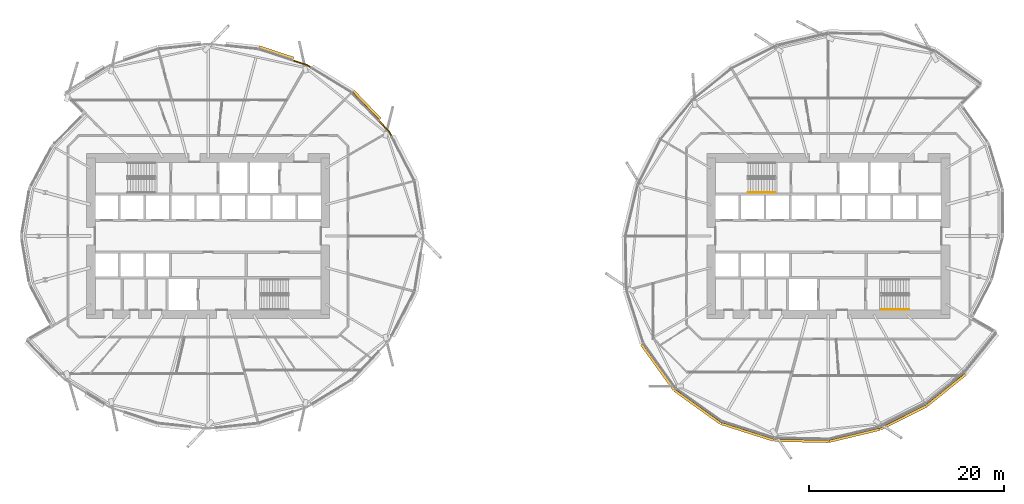
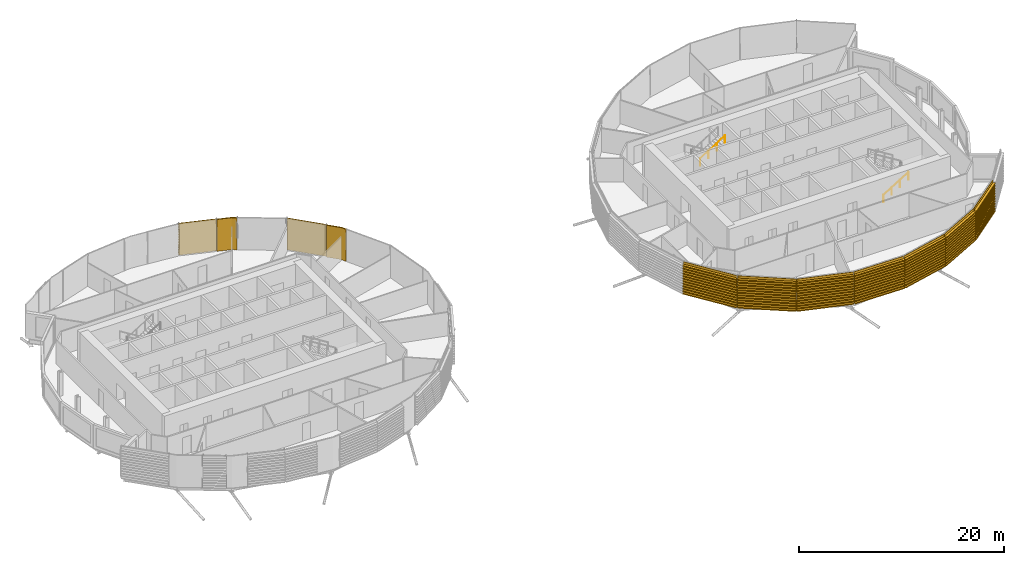
# One storey, part 34 of 36: 11 coverings, 2 railings.
"""IFC4 building model written with IfcOpenShell, lengths in metres."""

from ifc_helpers import new_model, si_unit, direction, frame, origin, origin_2d, place, context, subcontext, project, spatial, polyline, circle, outline, extrude, material, layer, layer_set, material_profile, profile_set, type_object, element, save


model = new_model("IFC4")

# Units and contexts
model_context = context("Model", 3, precision=1e-05, world=origin(), true_north=direction((0.0, 1.0)))
body_context = subcontext(model_context, "Body", "Model", "MODEL_VIEW")
ifc_project = project(units=[si_unit("LENGTHUNIT", "METRE"), si_unit("AREAUNIT", "SQUARE_METRE"), si_unit("VOLUMEUNIT", "CUBIC_METRE"), si_unit("PLANEANGLEUNIT", "RADIAN"), si_unit("MASSUNIT", "GRAM", prefix="KILO")], contexts=[model_context])

# Site, building, storey
site_placement = place(None, origin())
site = spatial("IfcSite", under=ifc_project, at=site_placement, CompositionType="ELEMENT")
building_placement = place(site_placement, origin())
building = spatial("IfcBuilding", under=site, at=building_placement, Name="Rimbun Link Towers", CompositionType="ELEMENT")
storey_placement = place(building_placement, frame((0.0, 0.0, 37.60009765625)))
storey = spatial("IfcBuildingStorey", under=building, at=storey_placement, Name="L08", CompositionType="ELEMENT", Elevation=37.60009765625)

# Coverings
ifc_material_1 = material(Name="Terracotta", Category="masonry")
ifc_layer = layer(ifc_material_1, 0.1201171875)
ifc_layer_set = layer_set([ifc_layer], Name="LINK PIER terracotta cladding 120")
covering_type_1 = type_object("IfcCoveringType", Name="LINK PIER terracotta cladding 120", PredefinedType="CLADDING", material=ifc_layer_set)
covering_1_placement = place(storey_placement, origin())
element("IfcCovering", 1, at=covering_1_placement, inside=storey, type_object=covering_type_1, Name="LINK PIER cladding", PredefinedType="CLADDING", context=body_context, shape_type="SweptSolid", body=[
    extrude(outline(polyline([(-14.317138671875, 11.769287109375), (-13.26513671875, 10.672119140625), (-13.026123046875, 10.21044921875), (-12.919677734375, 10.265625), (-13.16650390625, 10.74267578125), (-14.23046875, 11.8525390625), (-14.317138671875, 11.769287109375)])), origin(), (0.0, 0.0, 1.0), 3.7998046875),
])
covering_2_placement = place(storey_placement, origin())
element("IfcCovering", 2, at=covering_2_placement, inside=storey, type_object=covering_type_1, Name="LINK PIER cladding", PredefinedType="CLADDING", context=body_context, shape_type="SweptSolid", body=[
    extrude(outline(polyline([(-23.059326171875, 17.93212890625), (-21.663818359375, 17.469482421875), (-21.220703125, 17.197509765625), (-21.157958984375, 17.2998046875), (-21.613037109375, 17.5791015625), (-23.021484375, 18.0458984375), (-23.059326171875, 17.93212890625)])), origin(), (0.0, 0.0, 1.0), 3.7998046875),
])

# Railings
ifc_material_2 = material(Name="Stainless steel grade 316", Category="steel")
railing_type = type_object("IfcRailingType", Name="Stair handrail", PredefinedType="HANDRAIL", material=ifc_material_2)
for number, where, name in (
    (3, (23.5, 4.449951171875, 2.072509765625), "L08 ST3 stair handrail 2"),
    (4, (37.199951171875, -7.5, 0.172607421875), "L08 ST4 stair handrail 1"),
):
    element("IfcRailing", number, at=place(storey_placement, frame(where)), inside=storey, type_object=railing_type, Name=name, PredefinedType="HANDRAIL", context=body_context, shape_type="SweptSolid", body=[
        extrude(circle(Radius=0.02392578125, at=origin_2d()), frame((0.0, 0.0, 0.8759765625), z_axis=(0.851089632645, 0.0, 0.525020415988), x_axis=(0.0, 1.0, 0.0)), (0.0, 0.0, 1.0), 3.2900390625),
        extrude(circle(Radius=0.02099609375, at=origin_2d()), origin(), (0.0, 0.0, 1.0), 0.851806640625),
        extrude(circle(Radius=0.02099609375, at=origin_2d()), frame((0.933349609375, 0.0, 0.57568359375)), (0.0, 0.0, 1.0), 0.851806640625),
        extrude(circle(Radius=0.02099609375, at=origin_2d()), frame((1.86669921875, 0.0, 1.151611328125)), (0.0, 0.0, 1.0), 0.851806640625),
        extrude(circle(Radius=0.02099609375, at=origin_2d()), frame((2.800048828125, 0.0, 1.727294921875)), (0.0, 0.0, 1.0), 0.851806640625),
    ])

# Coverings
ifc_material_3 = material(Name="Terracotta", Category="masonry")
ifc_material_profile = material_profile(ifc_material_3, outline(polyline([(0.123046875, 0.0), (0.1630859375, 0.0), (0.1630859375, 0.10009765625), (0.423095703125, 0.10009765625), (0.423095703125, 0.219970703125), (0.1630859375, 0.219970703125), (0.1630859375, 0.39990234375), (0.423095703125, 0.39990234375), (0.423095703125, 0.52001953125), (0.1630859375, 0.52001953125), (0.1630859375, 0.699951171875), (0.423095703125, 0.699951171875), (0.423095703125, 0.820068359375), (0.1630859375, 0.820068359375), (0.1630859375, 1.0), (0.423095703125, 1.0), (0.423095703125, 1.1201171875), (0.1630859375, 1.1201171875), (0.1630859375, 1.300048828125), (0.423095703125, 1.300048828125), (0.423095703125, 1.419921875), (0.1630859375, 1.419921875), (0.1630859375, 1.60009765625), (0.423095703125, 1.60009765625), (0.423095703125, 1.719970703125), (0.1630859375, 1.719970703125), (0.1630859375, 1.89990234375), (0.423095703125, 1.89990234375), (0.423095703125, 2.02001953125), (0.1630859375, 2.02001953125), (0.1630859375, 2.199951171875), (0.423095703125, 2.199951171875), (0.423095703125, 2.320068359375), (0.1630859375, 2.320068359375), (0.1630859375, 2.5), (0.423095703125, 2.5), (0.423095703125, 2.6201171875), (0.1630859375, 2.6201171875), (0.1630859375, 2.800048828125), (0.423095703125, 2.800048828125), (0.423095703125, 2.919921875), (0.1630859375, 2.919921875), (0.1630859375, 3.10009765625), (0.423095703125, 3.10009765625), (0.423095703125, 3.219970703125), (0.1630859375, 3.219970703125), (0.1630859375, 3.39990234375), (0.423095703125, 3.39990234375), (0.423095703125, 3.52001953125), (0.1630859375, 3.52001953125), (0.1630859375, 3.800048828125), (0.123046875, 3.800048828125), (0.123046875, 0.0)])), Name="BAGUETTE 120X300")
ifc_profile_set = profile_set([ifc_material_profile], Name="Terracotta")
covering_type_2 = type_object("IfcCoveringType", Name="TERRACOTTA BAGUETTE 120X300 H3800", PredefinedType="CLADDING", material=ifc_profile_set)
covering_3_placement = place(storey_placement, frame((-17.089111328125, 14.660888671875, 0.0), z_axis=(0.692026728068, -0.721871877579, 0.0), x_axis=(0.721871877579, 0.692026728068, 0.0)))
element("IfcCovering", 5, at=covering_3_placement, inside=storey, type_object=covering_type_2, Name="TERRACOTTA BAGUETTE", PredefinedType="CLADDING", context=body_context, shape_type="SweptSolid", body=[
    extrude(outline(polyline([(0.123046875, 0.0), (0.1630859375, 0.0), (0.1630859375, 0.10009765625), (0.423095703125, 0.10009765625), (0.423095703125, 0.219970703125), (0.1630859375, 0.219970703125), (0.1630859375, 0.39990234375), (0.423095703125, 0.39990234375), (0.423095703125, 0.52001953125), (0.1630859375, 0.52001953125), (0.1630859375, 0.699951171875), (0.423095703125, 0.699951171875), (0.423095703125, 0.820068359375), (0.1630859375, 0.820068359375), (0.1630859375, 1.0), (0.423095703125, 1.0), (0.423095703125, 1.1201171875), (0.1630859375, 1.1201171875), (0.1630859375, 1.300048828125), (0.423095703125, 1.300048828125), (0.423095703125, 1.419921875), (0.1630859375, 1.419921875), (0.1630859375, 1.60009765625), (0.423095703125, 1.60009765625), (0.423095703125, 1.719970703125), (0.1630859375, 1.719970703125), (0.1630859375, 1.89990234375), (0.423095703125, 1.89990234375), (0.423095703125, 2.02001953125), (0.1630859375, 2.02001953125), (0.1630859375, 2.199951171875), (0.423095703125, 2.199951171875), (0.423095703125, 2.320068359375), (0.1630859375, 2.320068359375), (0.1630859375, 2.5), (0.423095703125, 2.5), (0.423095703125, 2.6201171875), (0.1630859375, 2.6201171875), (0.1630859375, 2.800048828125), (0.423095703125, 2.800048828125), (0.423095703125, 2.919921875), (0.1630859375, 2.919921875), (0.1630859375, 3.10009765625), (0.423095703125, 3.10009765625), (0.423095703125, 3.219970703125), (0.1630859375, 3.219970703125), (0.1630859375, 3.39990234375), (0.423095703125, 3.39990234375), (0.423095703125, 3.52001953125), (0.1630859375, 3.52001953125), (0.1630859375, 3.800048828125), (0.123046875, 3.800048828125), (0.123046875, 0.0)])), origin(), (0.0, 0.0, 1.0), 3.9755859375),
])
covering_4_placement = place(storey_placement, frame((-26.628173828125, 19.11474609375, 0.0), z_axis=(0.949231687983, -0.314577816332, 0.0), x_axis=(0.314577816332, 0.949231687983, 0.0)))
element("IfcCovering", 6, at=covering_4_placement, inside=storey, type_object=covering_type_2, Name="TERRACOTTA BAGUETTE", PredefinedType="CLADDING", context=body_context, shape_type="SweptSolid", body=[
    extrude(outline(polyline([(0.123046875, 0.0), (0.1630859375, 0.0), (0.1630859375, 0.10009765625), (0.423095703125, 0.10009765625), (0.423095703125, 0.219970703125), (0.1630859375, 0.219970703125), (0.1630859375, 0.39990234375), (0.423095703125, 0.39990234375), (0.423095703125, 0.52001953125), (0.1630859375, 0.52001953125), (0.1630859375, 0.699951171875), (0.423095703125, 0.699951171875), (0.423095703125, 0.820068359375), (0.1630859375, 0.820068359375), (0.1630859375, 1.0), (0.423095703125, 1.0), (0.423095703125, 1.1201171875), (0.1630859375, 1.1201171875), (0.1630859375, 1.300048828125), (0.423095703125, 1.300048828125), (0.423095703125, 1.419921875), (0.1630859375, 1.419921875), (0.1630859375, 1.60009765625), (0.423095703125, 1.60009765625), (0.423095703125, 1.719970703125), (0.1630859375, 1.719970703125), (0.1630859375, 1.89990234375), (0.423095703125, 1.89990234375), (0.423095703125, 2.02001953125), (0.1630859375, 2.02001953125), (0.1630859375, 2.199951171875), (0.423095703125, 2.199951171875), (0.423095703125, 2.320068359375), (0.1630859375, 2.320068359375), (0.1630859375, 2.5), (0.423095703125, 2.5), (0.423095703125, 2.6201171875), (0.1630859375, 2.6201171875), (0.1630859375, 2.800048828125), (0.423095703125, 2.800048828125), (0.423095703125, 2.919921875), (0.1630859375, 2.919921875), (0.1630859375, 3.10009765625), (0.423095703125, 3.10009765625), (0.423095703125, 3.219970703125), (0.1630859375, 3.219970703125), (0.1630859375, 3.39990234375), (0.423095703125, 3.39990234375), (0.423095703125, 3.52001953125), (0.1630859375, 3.52001953125), (0.1630859375, 3.800048828125), (0.123046875, 3.800048828125), (0.123046875, 0.0)])), origin(), (0.0, 0.0, 1.0), 3.72998046875),
])
for number, where, z_axis, x_axis, name in (
    (7, (16.184814453125, -15.565185546875, 0.0), (-0.583027830935, 0.812452182196, 0.0), (-0.812452182196, -0.583027830935, 0.0), "TERRACOTTA BAGUETTE"),
    (8, (20.836181640625, -18.903076171875, 0.0), (-0.812452182196, 0.583027830935, 0.0), (-0.583027830935, -0.812452182196, 0.0), "TERRACOTTA BAGUETTE"),
):
    element("IfcCovering", number, at=place(storey_placement, frame(where, z_axis=z_axis, x_axis=x_axis)), inside=storey, type_object=covering_type_2, Name=name, PredefinedType="CLADDING", context=body_context, shape_type="SweptSolid", body=[
        extrude(outline(polyline([(0.123046875, 0.0), (0.1630859375, 0.0), (0.1630859375, 0.10009765625), (0.423095703125, 0.10009765625), (0.423095703125, 0.219970703125), (0.1630859375, 0.219970703125), (0.1630859375, 0.39990234375), (0.423095703125, 0.39990234375), (0.423095703125, 0.52001953125), (0.1630859375, 0.52001953125), (0.1630859375, 0.699951171875), (0.423095703125, 0.699951171875), (0.423095703125, 0.820068359375), (0.1630859375, 0.820068359375), (0.1630859375, 1.0), (0.423095703125, 1.0), (0.423095703125, 1.1201171875), (0.1630859375, 1.1201171875), (0.1630859375, 1.300048828125), (0.423095703125, 1.300048828125), (0.423095703125, 1.419921875), (0.1630859375, 1.419921875), (0.1630859375, 1.60009765625), (0.423095703125, 1.60009765625), (0.423095703125, 1.719970703125), (0.1630859375, 1.719970703125), (0.1630859375, 1.89990234375), (0.423095703125, 1.89990234375), (0.423095703125, 2.02001953125), (0.1630859375, 2.02001953125), (0.1630859375, 2.199951171875), (0.423095703125, 2.199951171875), (0.423095703125, 2.320068359375), (0.1630859375, 2.320068359375), (0.1630859375, 2.5), (0.423095703125, 2.5), (0.423095703125, 2.6201171875), (0.1630859375, 2.6201171875), (0.1630859375, 2.800048828125), (0.423095703125, 2.800048828125), (0.423095703125, 2.919921875), (0.1630859375, 2.919921875), (0.1630859375, 3.10009765625), (0.423095703125, 3.10009765625), (0.423095703125, 3.219970703125), (0.1630859375, 3.219970703125), (0.1630859375, 3.39990234375), (0.423095703125, 3.39990234375), (0.423095703125, 3.52001953125), (0.1630859375, 3.52001953125), (0.1630859375, 3.800048828125), (0.123046875, 3.800048828125), (0.123046875, 0.0)])), origin(), (0.0, 0.0, 1.0), 5.72509765625),
    ])
covering_5_placement = place(storey_placement, frame((26.2255859375, -20.6171875, 0.0), z_axis=(-0.95296149131, 0.303091398889, 0.0), x_axis=(-0.303091398889, -0.95296149131, 0.0)))
element("IfcCovering", 9, at=covering_5_placement, inside=storey, type_object=covering_type_2, Name="TERRACOTTA BAGUETTE", PredefinedType="CLADDING", context=body_context, shape_type="SweptSolid", body=[
    extrude(outline(polyline([(0.123046875, 0.0), (0.1630859375, 0.0), (0.1630859375, 0.10009765625), (0.423095703125, 0.10009765625), (0.423095703125, 0.219970703125), (0.1630859375, 0.219970703125), (0.1630859375, 0.39990234375), (0.423095703125, 0.39990234375), (0.423095703125, 0.52001953125), (0.1630859375, 0.52001953125), (0.1630859375, 0.699951171875), (0.423095703125, 0.699951171875), (0.423095703125, 0.820068359375), (0.1630859375, 0.820068359375), (0.1630859375, 1.0), (0.423095703125, 1.0), (0.423095703125, 1.1201171875), (0.1630859375, 1.1201171875), (0.1630859375, 1.300048828125), (0.423095703125, 1.300048828125), (0.423095703125, 1.419921875), (0.1630859375, 1.419921875), (0.1630859375, 1.60009765625), (0.423095703125, 1.60009765625), (0.423095703125, 1.719970703125), (0.1630859375, 1.719970703125), (0.1630859375, 1.89990234375), (0.423095703125, 1.89990234375), (0.423095703125, 2.02001953125), (0.1630859375, 2.02001953125), (0.1630859375, 2.199951171875), (0.423095703125, 2.199951171875), (0.423095703125, 2.320068359375), (0.1630859375, 2.320068359375), (0.1630859375, 2.5), (0.423095703125, 2.5), (0.423095703125, 2.6201171875), (0.1630859375, 2.6201171875), (0.1630859375, 2.800048828125), (0.423095703125, 2.800048828125), (0.423095703125, 2.919921875), (0.1630859375, 2.919921875), (0.1630859375, 3.10009765625), (0.423095703125, 3.10009765625), (0.423095703125, 3.219970703125), (0.1630859375, 3.219970703125), (0.1630859375, 3.39990234375), (0.423095703125, 3.39990234375), (0.423095703125, 3.52001953125), (0.1630859375, 3.52001953125), (0.1630859375, 3.800048828125), (0.123046875, 3.800048828125), (0.123046875, 0.0)])), origin(), (0.0, 0.0, 1.0), 5.655517578125),
])
covering_6_placement = place(storey_placement, frame((31.75, -20.7333984375, 0.0), z_axis=(-0.99977881918, 0.02103123201, 0.0), x_axis=(-0.02103123201, -0.99977881918, 0.0)))
element("IfcCovering", 10, at=covering_6_placement, inside=storey, type_object=covering_type_2, Name="TERRACOTTA BAGUETTE", PredefinedType="CLADDING", context=body_context, shape_type="SweptSolid", body=[
    extrude(outline(polyline([(0.123046875, 0.0), (0.1630859375, 0.0), (0.1630859375, 0.10009765625), (0.423095703125, 0.10009765625), (0.423095703125, 0.219970703125), (0.1630859375, 0.219970703125), (0.1630859375, 0.39990234375), (0.423095703125, 0.39990234375), (0.423095703125, 0.52001953125), (0.1630859375, 0.52001953125), (0.1630859375, 0.699951171875), (0.423095703125, 0.699951171875), (0.423095703125, 0.820068359375), (0.1630859375, 0.820068359375), (0.1630859375, 1.0), (0.423095703125, 1.0), (0.423095703125, 1.1201171875), (0.1630859375, 1.1201171875), (0.1630859375, 1.300048828125), (0.423095703125, 1.300048828125), (0.423095703125, 1.419921875), (0.1630859375, 1.419921875), (0.1630859375, 1.60009765625), (0.423095703125, 1.60009765625), (0.423095703125, 1.719970703125), (0.1630859375, 1.719970703125), (0.1630859375, 1.89990234375), (0.423095703125, 1.89990234375), (0.423095703125, 2.02001953125), (0.1630859375, 2.02001953125), (0.1630859375, 2.199951171875), (0.423095703125, 2.199951171875), (0.423095703125, 2.320068359375), (0.1630859375, 2.320068359375), (0.1630859375, 2.5), (0.423095703125, 2.5), (0.423095703125, 2.6201171875), (0.1630859375, 2.6201171875), (0.1630859375, 2.800048828125), (0.423095703125, 2.800048828125), (0.423095703125, 2.919921875), (0.1630859375, 2.919921875), (0.1630859375, 3.10009765625), (0.423095703125, 3.10009765625), (0.423095703125, 3.219970703125), (0.1630859375, 3.219970703125), (0.1630859375, 3.39990234375), (0.423095703125, 3.39990234375), (0.423095703125, 3.52001953125), (0.1630859375, 3.52001953125), (0.1630859375, 3.800048828125), (0.123046875, 3.800048828125), (0.123046875, 0.0)])), origin(), (0.0, 0.0, 1.0), 5.525634765625),
])
covering_7_placement = place(storey_placement, frame((36.970947265625, -19.48486328125, 0.0), z_axis=(-0.972576878896, -0.232581630052, 0.0), x_axis=(0.232581630052, -0.972576878896, 0.0)))
element("IfcCovering", 11, at=covering_7_placement, inside=storey, type_object=covering_type_2, Name="TERRACOTTA BAGUETTE", PredefinedType="CLADDING", context=body_context, shape_type="SweptSolid", body=[
    extrude(outline(polyline([(0.123046875, 0.0), (0.1630859375, 0.0), (0.1630859375, 0.10009765625), (0.423095703125, 0.10009765625), (0.423095703125, 0.219970703125), (0.1630859375, 0.219970703125), (0.1630859375, 0.39990234375), (0.423095703125, 0.39990234375), (0.423095703125, 0.52001953125), (0.1630859375, 0.52001953125), (0.1630859375, 0.699951171875), (0.423095703125, 0.699951171875), (0.423095703125, 0.820068359375), (0.1630859375, 0.820068359375), (0.1630859375, 1.0), (0.423095703125, 1.0), (0.423095703125, 1.1201171875), (0.1630859375, 1.1201171875), (0.1630859375, 1.300048828125), (0.423095703125, 1.300048828125), (0.423095703125, 1.419921875), (0.1630859375, 1.419921875), (0.1630859375, 1.60009765625), (0.423095703125, 1.60009765625), (0.423095703125, 1.719970703125), (0.1630859375, 1.719970703125), (0.1630859375, 1.89990234375), (0.423095703125, 1.89990234375), (0.423095703125, 2.02001953125), (0.1630859375, 2.02001953125), (0.1630859375, 2.199951171875), (0.423095703125, 2.199951171875), (0.423095703125, 2.320068359375), (0.1630859375, 2.320068359375), (0.1630859375, 2.5), (0.423095703125, 2.5), (0.423095703125, 2.6201171875), (0.1630859375, 2.6201171875), (0.1630859375, 2.800048828125), (0.423095703125, 2.800048828125), (0.423095703125, 2.919921875), (0.1630859375, 2.919921875), (0.1630859375, 3.10009765625), (0.423095703125, 3.10009765625), (0.423095703125, 3.219970703125), (0.1630859375, 3.219970703125), (0.1630859375, 3.39990234375), (0.423095703125, 3.39990234375), (0.423095703125, 3.52001953125), (0.1630859375, 3.52001953125), (0.1630859375, 3.800048828125), (0.123046875, 3.800048828125), (0.123046875, 0.0)])), origin(), (0.0, 0.0, 1.0), 5.3681640625),
])
covering_8_placement = place(storey_placement, frame((41.64453125, -17.1376953125, 0.0), z_axis=(-0.893632189933, -0.448800077, 0.0), x_axis=(0.448800077, -0.893632189933, 0.0)))
element("IfcCovering", 12, at=covering_8_placement, inside=storey, type_object=covering_type_2, Name="TERRACOTTA BAGUETTE", PredefinedType="CLADDING", context=body_context, shape_type="SweptSolid", body=[
    extrude(outline(polyline([(0.123046875, 0.0), (0.1630859375, 0.0), (0.1630859375, 0.10009765625), (0.423095703125, 0.10009765625), (0.423095703125, 0.219970703125), (0.1630859375, 0.219970703125), (0.1630859375, 0.39990234375), (0.423095703125, 0.39990234375), (0.423095703125, 0.52001953125), (0.1630859375, 0.52001953125), (0.1630859375, 0.699951171875), (0.423095703125, 0.699951171875), (0.423095703125, 0.820068359375), (0.1630859375, 0.820068359375), (0.1630859375, 1.0), (0.423095703125, 1.0), (0.423095703125, 1.1201171875), (0.1630859375, 1.1201171875), (0.1630859375, 1.300048828125), (0.423095703125, 1.300048828125), (0.423095703125, 1.419921875), (0.1630859375, 1.419921875), (0.1630859375, 1.60009765625), (0.423095703125, 1.60009765625), (0.423095703125, 1.719970703125), (0.1630859375, 1.719970703125), (0.1630859375, 1.89990234375), (0.423095703125, 1.89990234375), (0.423095703125, 2.02001953125), (0.1630859375, 2.02001953125), (0.1630859375, 2.199951171875), (0.423095703125, 2.199951171875), (0.423095703125, 2.320068359375), (0.1630859375, 2.320068359375), (0.1630859375, 2.5), (0.423095703125, 2.5), (0.423095703125, 2.6201171875), (0.1630859375, 2.6201171875), (0.1630859375, 2.800048828125), (0.423095703125, 2.800048828125), (0.423095703125, 2.919921875), (0.1630859375, 2.919921875), (0.1630859375, 3.10009765625), (0.423095703125, 3.10009765625), (0.423095703125, 3.219970703125), (0.1630859375, 3.219970703125), (0.1630859375, 3.39990234375), (0.423095703125, 3.39990234375), (0.423095703125, 3.52001953125), (0.1630859375, 3.52001953125), (0.1630859375, 3.800048828125), (0.123046875, 3.800048828125), (0.123046875, 0.0)])), origin(), (0.0, 0.0, 1.0), 5.22998046875),
])
covering_9_placement = place(storey_placement, frame((45.647705078125, -13.897705078125, 0.0), z_axis=(-0.777308896653, -0.629119129565, 0.0), x_axis=(0.629119129565, -0.777308896653, 0.0)))
element("IfcCovering", 13, at=covering_9_placement, inside=storey, type_object=covering_type_2, Name="TERRACOTTA BAGUETTE", PredefinedType="CLADDING", context=body_context, shape_type="SweptSolid", body=[
    extrude(outline(polyline([(0.123046875, 0.0), (0.1630859375, 0.0), (0.1630859375, 0.10009765625), (0.423095703125, 0.10009765625), (0.423095703125, 0.219970703125), (0.1630859375, 0.219970703125), (0.1630859375, 0.39990234375), (0.423095703125, 0.39990234375), (0.423095703125, 0.52001953125), (0.1630859375, 0.52001953125), (0.1630859375, 0.699951171875), (0.423095703125, 0.699951171875), (0.423095703125, 0.820068359375), (0.1630859375, 0.820068359375), (0.1630859375, 1.0), (0.423095703125, 1.0), (0.423095703125, 1.1201171875), (0.1630859375, 1.1201171875), (0.1630859375, 1.300048828125), (0.423095703125, 1.300048828125), (0.423095703125, 1.419921875), (0.1630859375, 1.419921875), (0.1630859375, 1.60009765625), (0.423095703125, 1.60009765625), (0.423095703125, 1.719970703125), (0.1630859375, 1.719970703125), (0.1630859375, 1.89990234375), (0.423095703125, 1.89990234375), (0.423095703125, 2.02001953125), (0.1630859375, 2.02001953125), (0.1630859375, 2.199951171875), (0.423095703125, 2.199951171875), (0.423095703125, 2.320068359375), (0.1630859375, 2.320068359375), (0.1630859375, 2.5), (0.423095703125, 2.5), (0.423095703125, 2.6201171875), (0.1630859375, 2.6201171875), (0.1630859375, 2.800048828125), (0.423095703125, 2.800048828125), (0.423095703125, 2.919921875), (0.1630859375, 2.919921875), (0.1630859375, 3.10009765625), (0.423095703125, 3.10009765625), (0.423095703125, 3.219970703125), (0.1630859375, 3.219970703125), (0.1630859375, 3.39990234375), (0.423095703125, 3.39990234375), (0.423095703125, 3.52001953125), (0.1630859375, 3.52001953125), (0.1630859375, 3.800048828125), (0.123046875, 3.800048828125), (0.123046875, 0.0)])), origin(), (0.0, 0.0, 1.0), 5.150146484375),
])

save(model, "model.ifc")
